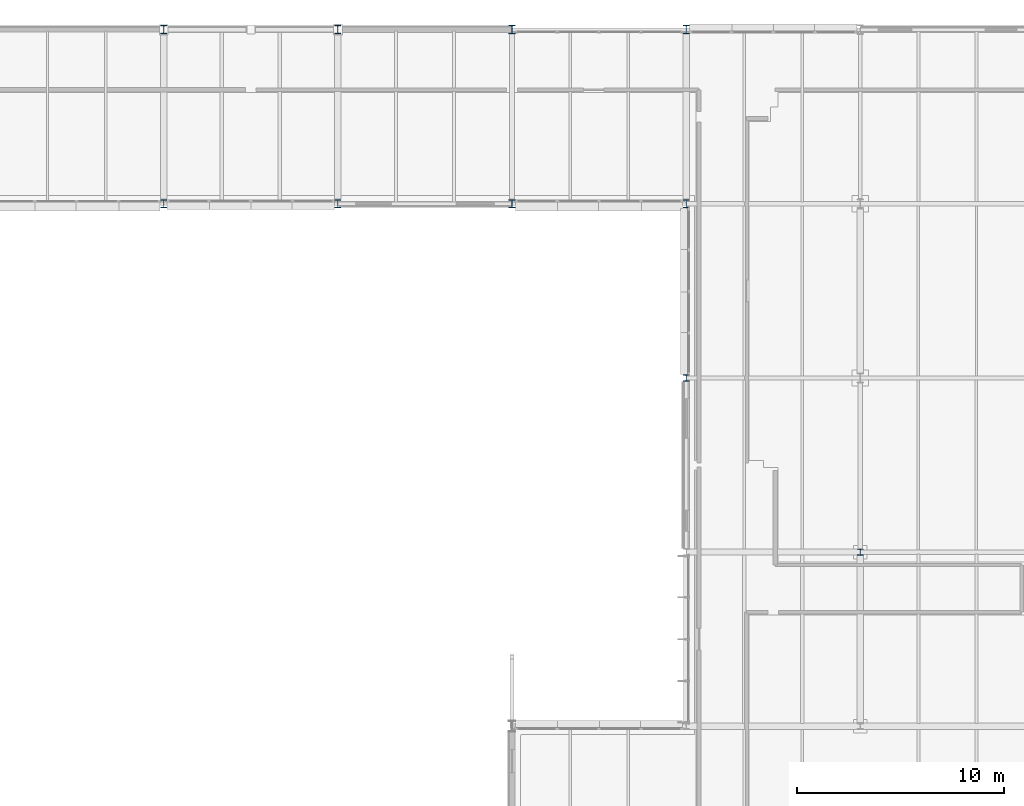
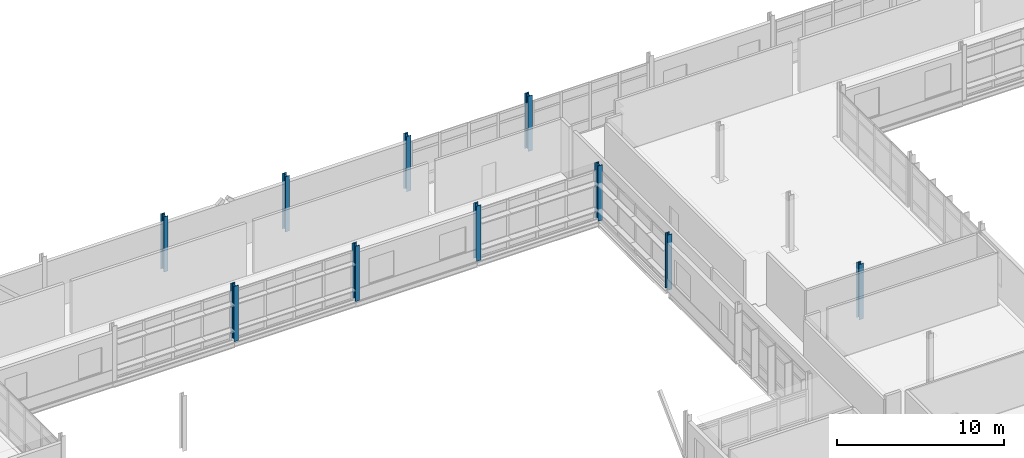
# One storey, part 7 of 103: 10 columns.
"""IFC4 building model written with IfcOpenShell, lengths in metres."""

from ifc_helpers import new_model, si_unit, direction, frame, origin, origin_2d, place, context, subcontext, project, spatial, i_section, extrude, material, material_profile, profile_set, type_object, element, save


model = new_model("IFC4")

# Units and contexts
model_context = context("Model", 3, precision=1e-05, world=origin(), true_north=direction((0.0, 1.0)))
body_context = subcontext(model_context, "Body", "Model", "MODEL_VIEW")
ifc_project = project(units=[si_unit("LENGTHUNIT", "METRE"), si_unit("AREAUNIT", "SQUARE_METRE"), si_unit("VOLUMEUNIT", "CUBIC_METRE"), si_unit("PLANEANGLEUNIT", "RADIAN"), si_unit("MASSUNIT", "GRAM", prefix="KILO")], contexts=[model_context])

# Site, building, storey
site_placement = place(None, origin())
site = spatial("IfcSite", under=ifc_project, at=site_placement, CompositionType="ELEMENT")
building_placement = place(site_placement, origin())
building = spatial("IfcBuilding", under=site, at=building_placement, Name="Mersafa Astral City Hall", CompositionType="ELEMENT")
storey_placement = place(building_placement, frame((0.0, 0.0, 18.0)))
storey = spatial("IfcBuildingStorey", under=building, at=storey_placement, Name="L04", CompositionType="ELEMENT", Elevation=18.0)

# Columns
ifc_material = material(Name="Steel S355", Category="steel")
ifc_material_profile_1 = material_profile(ifc_material, i_section(OverallWidth=0.300048828125, OverallDepth=0.300048828125, WebThickness=0.010986328125, FlangeThickness=0.01904296875, FilletRadius=0.027099609375, at=origin_2d()), Name="HEB 300")
ifc_profile_set_1 = profile_set([ifc_material_profile_1], Name="Steel S355")
column_type_1 = type_object("IfcColumnType", Name="STR-COL-HEB300", PredefinedType="COLUMN", material=ifc_profile_set_1)
for number, where, z_axis, x_axis, name in (
    (1, (100.800048828125, 109.199951171875, 0.0), (0.0, 0.0, 1.0), (1.0, 0.0, 0.0), "L04 Structural column G-12-13"),
    (2, (109.199951171875, 100.800048828125, 0.0), (0.0, 0.0, 1.0), (1.0, 0.0, 0.0), "L04 Structural column G-13-12"),
):
    element("IfcColumn", number, at=place(storey_placement, frame(where, z_axis=z_axis, x_axis=x_axis)), inside=storey, type_object=column_type_1, Name=name, PredefinedType="COLUMN", context=body_context, shape_type="SweptSolid", body=[
        extrude(i_section(OverallWidth=0.300048828125, OverallDepth=0.300048828125, WebThickness=0.010986328125, FlangeThickness=0.01904296875, FilletRadius=0.027099609375, at=origin_2d()), origin(), (0.0, 0.0, 1.0), 4.050048828125),
    ])
ifc_material_profile_2 = material_profile(ifc_material, i_section(OverallWidth=0.300048828125, OverallDepth=0.39990234375, WebThickness=0.013427734375, FlangeThickness=0.02392578125, FilletRadius=0.027099609375, at=origin_2d()), Name="HEB 400")
ifc_profile_set_2 = profile_set([ifc_material_profile_2], Name="Steel S355")
column_type_2 = type_object("IfcColumnType", Name="STR-COL-HEB400", PredefinedType="COLUMN", material=ifc_profile_set_2)
for number, where, z_axis, x_axis, name in (
    (3, (75.60009765625, 117.60009765625, 0.0), (0.0, 0.0, 1.0), (1.0, 0.0, 0.0), "L04 Structural column G-09-14"),
    (4, (75.60009765625, 126.0, 0.0), (0.0, 0.0, 1.0), (1.0, 0.0, 0.0), "L04 Structural column G-09-15"),
    (5, (84.0, 117.60009765625, 0.0), (0.0, 0.0, 1.0), (1.0, 0.0, 0.0), "L04 Structural column G-10-14"),
    (6, (84.0, 126.0, 0.0), (0.0, 0.0, 1.0), (1.0, 0.0, 0.0), "L04 Structural column G-10-15"),
    (7, (92.39990234375, 117.60009765625, 0.0), (0.0, 0.0, 1.0), (1.0, 0.0, 0.0), "L04 Structural column G-11-14"),
    (8, (92.39990234375, 126.0, 0.0), (0.0, 0.0, 1.0), (1.0, 0.0, 0.0), "L04 Structural column G-11-15"),
    (9, (100.800048828125, 117.60009765625, 0.0), (0.0, 0.0, 1.0), (1.0, 0.0, 0.0), "L04 Structural column G-12-14"),
    (10, (100.800048828125, 126.0, 0.0), (0.0, 0.0, 1.0), (1.0, 0.0, 0.0), "L04 Structural column G-12-15"),
):
    element("IfcColumn", number, at=place(storey_placement, frame(where, z_axis=z_axis, x_axis=x_axis)), inside=storey, type_object=column_type_2, Name=name, PredefinedType="COLUMN", context=body_context, shape_type="SweptSolid", body=[
        extrude(i_section(OverallWidth=0.300048828125, OverallDepth=0.39990234375, WebThickness=0.013427734375, FlangeThickness=0.02392578125, FilletRadius=0.027099609375, at=origin_2d()), origin(), (0.0, 0.0, 1.0), 4.050048828125),
    ])

save(model, "model.ifc")
